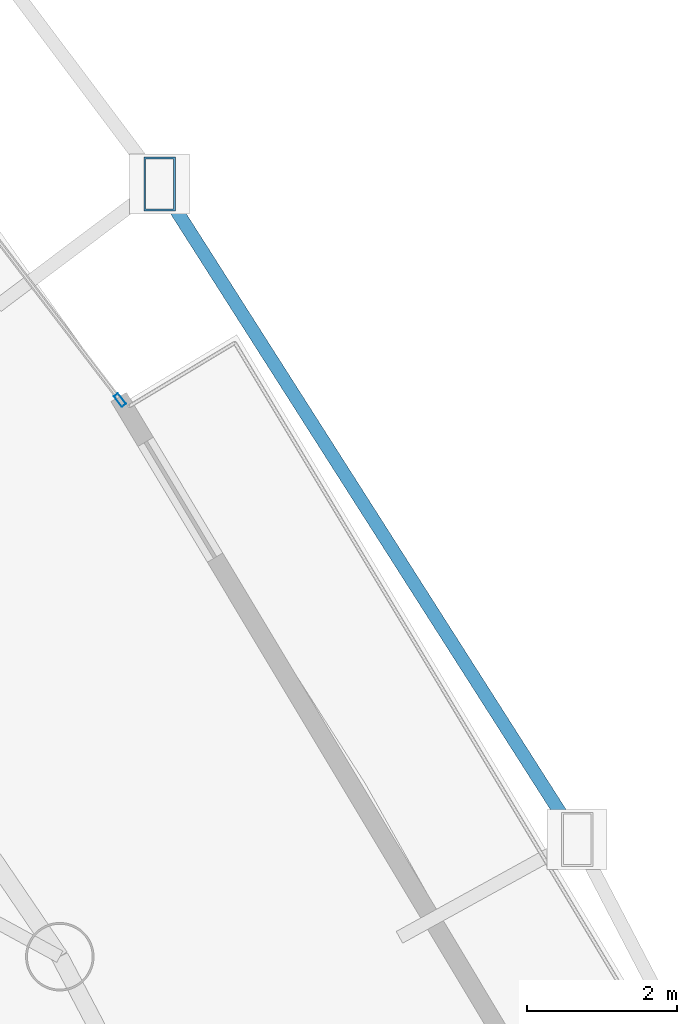
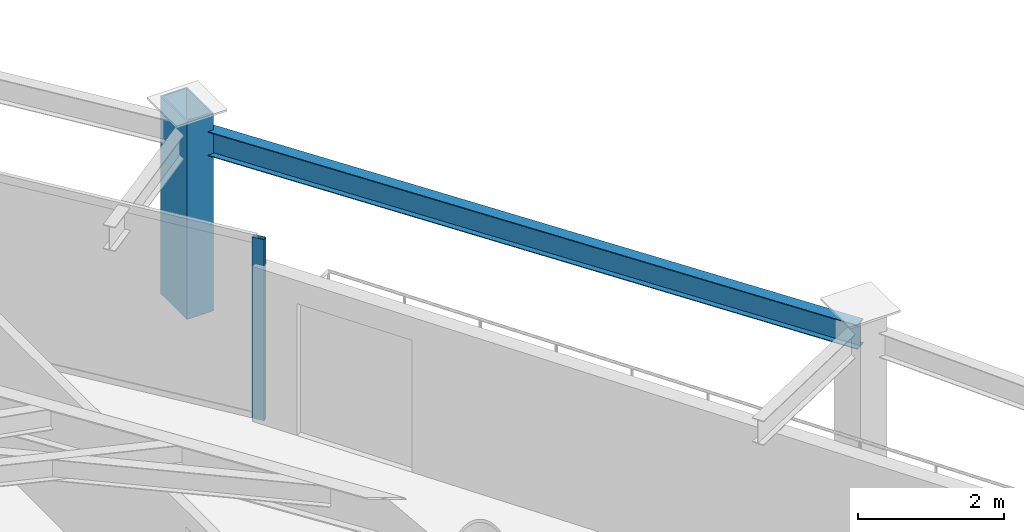
# One storey, part 25 of 33: 2 members, 1 beam, 1 element without a shape of its own.
"""IFC4 building model written with IfcOpenShell, lengths in metres."""

from ifc_helpers import new_model, si_unit, direction, frame, origin, origin_2d, place, context, subcontext, project, spatial, hollow_rectangle, i_section, extrude, material, layer, layer_set, material_profile, profile_set, type_object, element, aggregate, save


model = new_model("IFC4")

# Units and contexts
model_context = context("Model", 3, precision=1e-05, world=origin(), true_north=direction((0.0, 1.0)))
body_context = subcontext(model_context, "Body", "Model", "MODEL_VIEW")
ifc_project = project(units=[si_unit("LENGTHUNIT", "METRE"), si_unit("AREAUNIT", "SQUARE_METRE"), si_unit("VOLUMEUNIT", "CUBIC_METRE"), si_unit("PLANEANGLEUNIT", "RADIAN"), si_unit("MASSUNIT", "GRAM", prefix="KILO")], contexts=[model_context])

# Site, building, storey
site_placement = place(None, origin())
site = spatial("IfcSite", under=ifc_project, at=site_placement, CompositionType="ELEMENT")
building_placement = place(site_placement, origin())
building = spatial("IfcBuilding", under=site, at=building_placement, Name="Orvanel Arch Residences", CompositionType="ELEMENT")
storey_placement = place(building_placement, frame((0.0, 0.0, 93.949951171875)))
storey = spatial("IfcBuildingStorey", under=building, at=storey_placement, Name="L26", CompositionType="ELEMENT", Elevation=93.949951171875)

# Member
ifc_material_1 = material(Name="Structural steel AS/NZS 3678 Grade 350", Category="steel")
ifc_material_profile_1 = material_profile(ifc_material_1, hollow_rectangle(XDim=0.419921875, YDim=0.719970703125, WallThickness=0.02490234375, at=origin_2d()), Name="RHS720x420x25")
ifc_profile_set_1 = profile_set([ifc_material_profile_1], Name="Structural steel AS/NZS 3678 Grade 350")
member_type_1 = type_object("IfcMemberType", Name="CH-720RHS-EXT", PredefinedType="CHORD", material=ifc_profile_set_1)
member_1_placement = place(storey_placement, frame((46.760986328125, 37.947998046875, 0.0), z_axis=(0.0, 0.0, 1.0), x_axis=(1.0, 0.0, 0.0)))
element("IfcMember", 1, at=member_1_placement, inside=storey, type_object=member_type_1, Name="L26 Outer Perimeter Frame Post 11", PredefinedType="CHORD", context=body_context, shape_type="SweptSolid", body=[
    extrude(hollow_rectangle(XDim=0.419921875, YDim=0.719970703125, WallThickness=0.02490234375, at=origin_2d()), origin(), (0.0, 0.0, 1.0), 3.300048828125),
])

# Curtain wall, member
ifc_material_2 = material(Name="Bronze-anodised aluminium AA6063-T6", Category="aluminium")
ifc_layer = layer(ifc_material_2, 0.179931640625)
ifc_layer_set = layer_set([ifc_layer], Name="Bronze-anodised aluminium AA6063-T6")
curtain_wall_type = type_object("IfcCurtainWallType", Name="CW2-LOW-SYS", PredefinedType="NOTDEFINED", material=ifc_layer_set)
curtain_wall_placement = place(storey_placement, origin())
curtain_wall = element("IfcCurtainWall", 2, at=curtain_wall_placement, inside=storey, type_object=curtain_wall_type, Name="L26 CW2-LOW-SYS Unitised Curtain Wall", PredefinedType="NOTDEFINED")
ifc_material_profile_2 = material_profile(ifc_material_2, hollow_rectangle(XDim=0.070068359375, YDim=0.179931640625, WallThickness=0.00439453125, at=origin_2d()), Name="ALU180x70x4.5")
ifc_profile_set_2 = profile_set([ifc_material_profile_2], Name="Bronze-anodised aluminium AA6063-T6")
member_type_2 = type_object("IfcMemberType", Name="MUL-180x70", PredefinedType="MULLION", material=ifc_profile_set_2)
member_2_placement = place(storey_placement, frame((46.233642578125, 35.06787109375, 0.0), z_axis=(0.0, 0.0, 1.0), x_axis=(-0.794440878404, -0.607341494318, 0.0)))
member_2 = element("IfcMember", 3, at=member_2_placement, type_object=member_type_2, Name="CW-S2 mullion 1", PredefinedType="MULLION", context=body_context, shape_type="SweptSolid", body=[
    extrude(hollow_rectangle(XDim=0.070068359375, YDim=0.179931640625, WallThickness=0.00439453125, at=origin_2d()), origin(), (0.0, 0.0, 1.0), 3.02001953125),
])
aggregate(curtain_wall, [member_2])

# Beam
ifc_material_3 = material(Name="Structural steel AS/NZS 3679.1 Grade 300 (300 MPa)", Category="steel")
ifc_material_profile_3 = material_profile(ifc_material_3, i_section(OverallWidth=0.177978515625, OverallDepth=0.406005859375, WebThickness=0.0078125, FlangeThickness=0.0126953125, at=origin_2d()), Name="410UB59.7")
ifc_profile_set_3 = profile_set([ifc_material_profile_3], Name="Structural steel AS/NZS 3679.1 Grade 300 (300 MPa)")
beam_type = type_object("IfcBeamType", Name="OB-410UB-EXT", PredefinedType="SPANDREL", material=ifc_profile_set_3)
beam_placement = place(storey_placement, frame((52.3330078125, 29.2080078125, 2.817138671875), z_axis=(-0.537576389199, 0.843215053101, 0.0), x_axis=(-0.843215053101, -0.537576389199, 0.0)))
element("IfcBeam", 4, at=beam_placement, inside=storey, type_object=beam_type, Name="L26 Outer Perimeter Floor Ring Beam 10", PredefinedType="SPANDREL", context=body_context, shape_type="SweptSolid", body=[
    extrude(i_section(OverallWidth=0.177978515625, OverallDepth=0.406005859375, WebThickness=0.0078125, FlangeThickness=0.0126953125, at=origin_2d()), origin(), (0.0, 0.0, 1.0), 10.364990234375),
])

save(model, "model.ifc")
